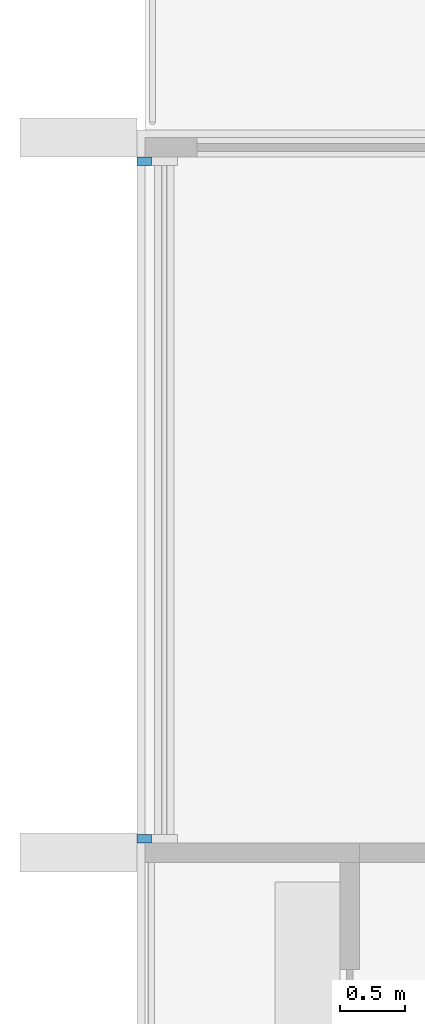
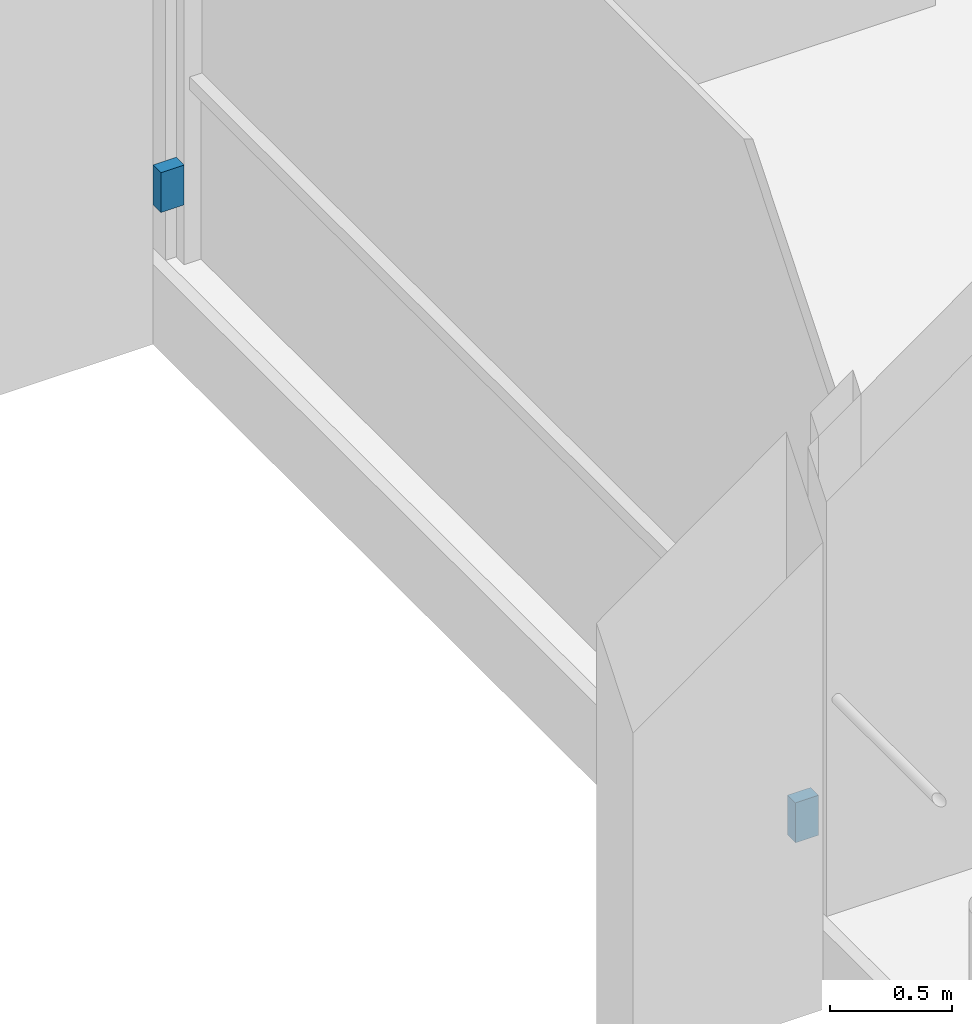
# One storey, part 16 of 19: 2 discrete accessories.
"""IFC4 building model written with IfcOpenShell, lengths in metres."""

from ifc_helpers import new_model, si_unit, direction, frame, origin, origin_2d, place, context, subcontext, project, spatial, rectangle, extrude, material, type_object, element, save


model = new_model("IFC4")

# Units and contexts
model_context = context("Model", 3, precision=1e-05, world=origin(), true_north=direction((0.0, 1.0)))
body_context = subcontext(model_context, "Body", "Model", "MODEL_VIEW")
ifc_project = project(units=[si_unit("LENGTHUNIT", "METRE"), si_unit("AREAUNIT", "SQUARE_METRE"), si_unit("VOLUMEUNIT", "CUBIC_METRE"), si_unit("PLANEANGLEUNIT", "RADIAN"), si_unit("MASSUNIT", "GRAM", prefix="KILO")], contexts=[model_context])

# Site, building, storey
site_placement = place(None, origin())
site = spatial("IfcSite", under=ifc_project, at=site_placement, CompositionType="ELEMENT")
building_placement = place(site_placement, origin())
building = spatial("IfcBuilding", under=site, at=building_placement, Name="Finial Court Residences", CompositionType="ELEMENT")
storey_placement = place(building_placement, frame((0.0, 0.0, 81.10009765625)))
storey = spatial("IfcBuildingStorey", under=building, at=storey_placement, Name="L19", CompositionType="ELEMENT", Elevation=81.10009765625)

# Discrete accessories
ifc_material = material(Name="Stainless steel 316", Category="steel")
discrete_accessory_type = type_object("IfcDiscreteAccessoryType", Name="Fin bracket, stainless steel 65 x 110 x 200", PredefinedType="BRACKET", material=ifc_material)
for number, where, z_axis, x_axis, name in (
    (1, (-25.5048828125, 13.607421875, 0.2998046875), (0.0, 0.0, 1.0), (1.0, 0.0, 0.0), "E-L19-FIN-W31-BRK"),
    (2, (-25.5048828125, 18.8173828125, 0.2998046875), (0.0, 0.0, 1.0), (1.0, 0.0, 0.0), "E-L19-FIN-W32-BRK"),
):
    element("IfcDiscreteAccessory", number, at=place(storey_placement, frame(where, z_axis=z_axis, x_axis=x_axis)), inside=storey, type_object=discrete_accessory_type, Name=name, PredefinedType="BRACKET", context=body_context, shape_type="SweptSolid", body=[
        extrude(rectangle(XDim=0.110107421875, YDim=0.06494140625, at=origin_2d()), origin(), (0.0, 0.0, 1.0), 0.199951171875),
    ])

save(model, "model.ifc")
